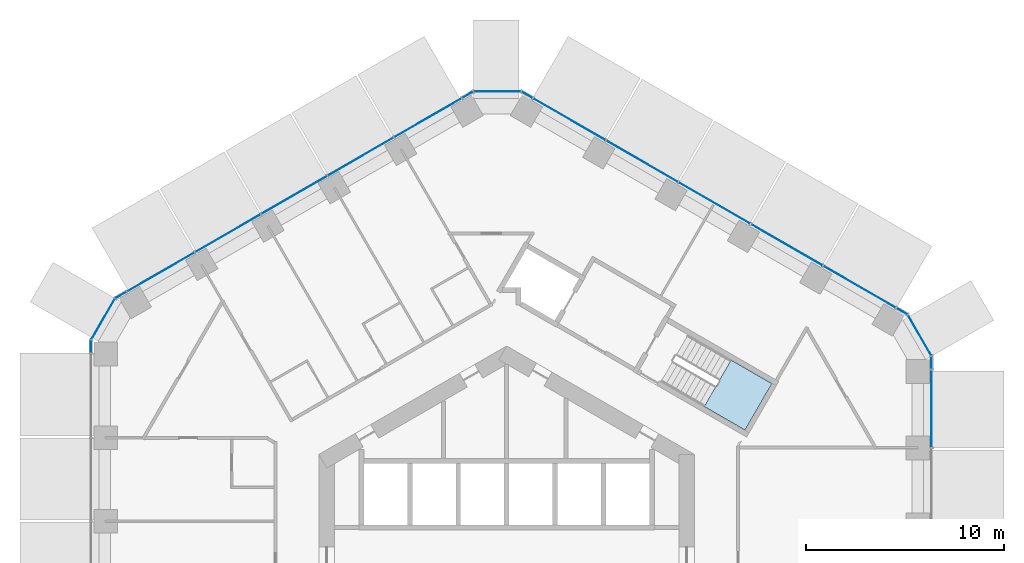
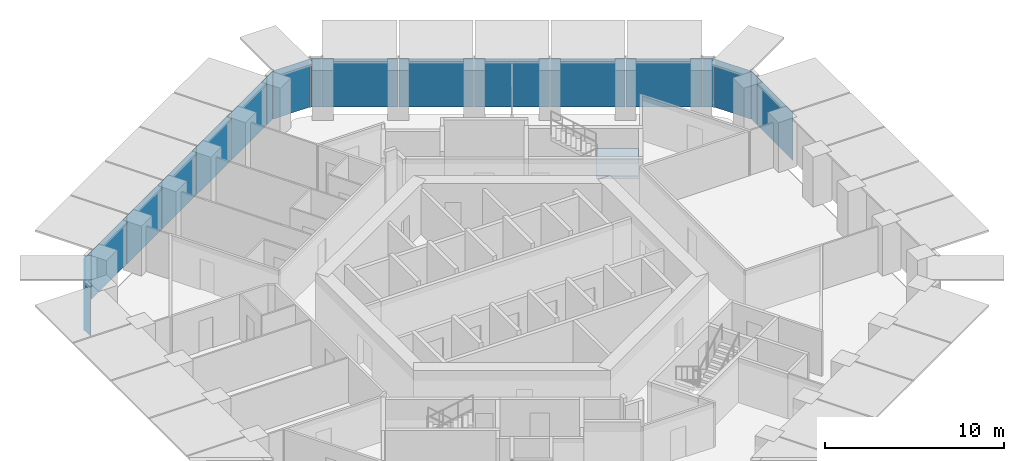
# One storey, part 11 of 19: 20 plates, 1 slab, 7 elements without a shape of their own.
"""IFC4 building model written with IfcOpenShell, lengths in metres."""

import ifcopenshell
import ifcopenshell.guid

model = None  # the IFC model being written
_history = None  # IfcOwnerHistory: only IFC2X3 demands one
_inside = {}  # id of a spatial element -> (the spatial element, [elements in it])
_under = {}  # id of a project, library or spatial element -> (it, [spatial elements below it])
_declared = {}  # id of a project -> (the project, [libraries it declares])
_typed = {}  # id of a type object -> (the type object, [elements of that type])
_made_of = {}  # id of a material, layer set ... -> (it, [elements and type objects made of it])


def new_model(schema):
    """Start an empty IFC model of exactly this schema.

    Asked for "IFC4X3", IfcOpenShell would pick the latest addendum, in which some entities
    have other attributes; the version numbers below select the first issue.
    IFC2X3 requires an IfcOwnerHistory on every rooted entity: one is made here for all.
    """
    global model, _history
    if schema == "IFC4X3":
        model = ifcopenshell.file(schema_version=(4, 3, 0, 0))
    else:
        model = ifcopenshell.file(schema=schema)
    _inside.clear()
    _under.clear()
    _declared.clear()
    _typed.clear()
    _made_of.clear()
    _history = None
    if model.schema == "IFC2X3":
        org = make("IfcOrganization", Name="unknown")
        user = make(
            "IfcPersonAndOrganization",
            ThePerson=make("IfcPerson", FamilyName="unknown"),
            TheOrganization=org,
        )
        app = make(
            "IfcApplication",
            ApplicationDeveloper=org,
            Version="unknown",
            ApplicationFullName="unknown",
            ApplicationIdentifier="unknown",
        )
        _history = make(
            "IfcOwnerHistory",
            OwningUser=user,
            OwningApplication=app,
            ChangeAction="ADDED",
            CreationDate=0,
        )
    return model


def make(cls, **values):
    """One entity of the class cls with the attributes given. An attribute that is None is left unset."""
    return model.create_entity(
        cls, **{name: value for name, value in values.items() if value is not None}
    )


def rooted(cls, **values):
    """An entity with a GlobalId (a new one), such as an element, a storey or a relation."""
    return make(cls, GlobalId=ifcopenshell.guid.new(), OwnerHistory=_history, **values)


def si_unit(unit_type, name, prefix=None):
    """IfcSIUnit, for example si_unit("LENGTHUNIT", "METRE", prefix="MILLI")."""
    return make("IfcSIUnit", UnitType=unit_type, Prefix=prefix, Name=name)


def assignment(units):
    """IfcUnitAssignment: the units of a project."""
    return None if units is None else make("IfcUnitAssignment", Units=units)


def point(xyz):
    """IfcCartesianPoint."""
    return None if xyz is None else make("IfcCartesianPoint", Coordinates=xyz)


def direction(xyz):
    """IfcDirection."""
    return None if xyz is None else make("IfcDirection", DirectionRatios=xyz)


def frame(location, z_axis=None, x_axis=None):
    """IfcAxis2Placement3D, a coordinate frame: its origin and axes. An axis left out is left unset."""
    return make(
        "IfcAxis2Placement3D",
        Location=point(location),
        Axis=direction(z_axis),
        RefDirection=direction(x_axis),
    )


def frame_2d(location, x_axis=None):
    """IfcAxis2Placement2D, a coordinate frame in the plane: its origin and x axis."""
    return make(
        "IfcAxis2Placement2D", Location=point(location), RefDirection=direction(x_axis)
    )


def origin():
    """The frame at (0, 0, 0) with its axes left unset."""
    return frame((0.0, 0.0, 0.0))


def origin_2d():
    """The frame at (0, 0) in the plane with its x axis left unset."""
    return frame_2d((0.0, 0.0))


def place(relative_to, where):
    """IfcLocalPlacement: puts the frame where relative to a parent placement (None: the world)."""
    return make(
        "IfcLocalPlacement", PlacementRelTo=relative_to, RelativePlacement=where
    )


def context(
    kind, dimensions, precision=None, world=None, true_north=None, identifier=None
):
    """IfcGeometricRepresentationContext, for example the 3D "Model" context."""
    return make(
        "IfcGeometricRepresentationContext",
        ContextIdentifier=identifier,
        ContextType=kind,
        CoordinateSpaceDimension=dimensions,
        Precision=precision,
        WorldCoordinateSystem=world,
        TrueNorth=true_north,
    )


def subcontext(parent, identifier, kind, view, scale=None):
    """IfcGeometricRepresentationSubContext, for example "Body" below "Model"."""
    return make(
        "IfcGeometricRepresentationSubContext",
        ContextIdentifier=identifier,
        ContextType=kind,
        ParentContext=parent,
        TargetScale=scale,
        TargetView=view,
    )


def project(units=None, contexts=None):
    """IfcProject with its units and contexts."""
    return rooted(
        "IfcProject",
        Name="project",
        RepresentationContexts=contexts,
        UnitsInContext=assignment(units),
    )


def spatial(cls, under=None, at=None, **own):
    """A site, building, storey or space (cls), placed at a placement, below another one or the project."""
    s = rooted(cls, ObjectPlacement=at, **own)
    if under is not None:
        _under.setdefault(under.id(), (under, []))[1].append(s)
    return s


def polyline(points):
    """IfcPolyline through the points."""
    return make("IfcPolyline", Points=[point(p) for p in points])


def profile(cls, at=None, kind="AREA", **sizes):
    """A parametric profile (cls). Its sizes go by their IFC names, for example OverallWidth=200.0."""
    return make(cls, ProfileType=kind, Position=at, **sizes)


def rectangle(**sizes):
    """IfcRectangleProfileDef."""
    return profile("IfcRectangleProfileDef", **sizes)


def outline(outer, holes=None, kind="AREA"):
    """IfcArbitraryClosedProfileDef: a profile drawn as a closed curve; with holes, ...WithVoids."""
    if holes is None:
        return make("IfcArbitraryClosedProfileDef", ProfileType=kind, OuterCurve=outer)
    return make(
        "IfcArbitraryProfileDefWithVoids",
        ProfileType=kind,
        OuterCurve=outer,
        InnerCurves=holes,
    )


def extrude(swept, where, along, depth):
    """IfcExtrudedAreaSolid: the profile swept, set in the frame where, extruded along a direction by depth."""
    return make(
        "IfcExtrudedAreaSolid",
        SweptArea=swept,
        Position=where,
        ExtrudedDirection=direction(along),
        Depth=depth,
    )


def shape(context_of_items, identifier, shape_type, items):
    """IfcShapeRepresentation: the items that make up one representation, for example the "Body"."""
    return make(
        "IfcShapeRepresentation",
        ContextOfItems=context_of_items,
        RepresentationIdentifier=identifier,
        RepresentationType=shape_type,
        Items=items,
    )


def material(Name=None, Category=None):
    """IfcMaterial."""
    return make("IfcMaterial", Name=Name, Category=Category)


def layer(
    of_material, thickness, ventilated=None, Name=None, Category=None, Priority=None
):
    """IfcMaterialLayer: one layer of a wall or slab, of a material (None: an air gap)."""
    return make(
        "IfcMaterialLayer",
        Material=of_material,
        LayerThickness=thickness,
        IsVentilated=ventilated,
        Name=Name,
        Category=Category,
        Priority=Priority,
    )


def layer_set(layers, Name=None):
    """IfcMaterialLayerSet."""
    return make("IfcMaterialLayerSet", MaterialLayers=layers, LayerSetName=Name)


def made_of(thing, what):
    """Note that an element or type object is made of a material, layer set ...; save() writes the relation."""
    if what is not None:
        _made_of.setdefault(what.id(), (what, []))[1].append(thing)
    return thing


def type_object(cls, material=None, **own):
    """A type object (cls), such as IfcWallType, which elements share."""
    return made_of(rooted(cls, **own), material)


def element(
    cls,
    number,
    at=None,
    inside=None,
    cuts=None,
    type_object=None,
    material=None,
    context=None,
    identifier="Body",
    shape_type=None,
    held_by="IfcProductDefinitionShape",
    body=None,
    shapes=None,
    **own,
):
    """One element of the class cls, such as IfcWall. Its Tag is "e" and its number.

    at: its placement. inside: the storey or other place that contains it. cuts: it is an
    opening in that element (IfcRelVoidsElement). A single representation is given by context,
    identifier, shape_type and body (its items); several are given by shapes. held_by: the class
    of the entity that holds the representations. save() writes the other relations.
    """
    e = rooted(cls, Tag="e%d" % number, ObjectPlacement=at, **own)
    if body is not None:
        shapes = [shape(context, identifier, shape_type, body)]
    if shapes is not None:
        e.Representation = make(held_by, Representations=shapes)
    if inside is not None:
        _inside.setdefault(inside.id(), (inside, []))[1].append(e)
    if cuts is not None:
        rooted(
            "IfcRelVoidsElement", RelatingBuildingElement=cuts, RelatedOpeningElement=e
        )
    if type_object is not None:
        _typed.setdefault(type_object.id(), (type_object, []))[1].append(e)
    return made_of(e, material)


def aggregate(whole, parts):
    """IfcRelAggregates: a whole, such as a stair, and the parts it consists of."""
    return rooted("IfcRelAggregates", RelatingObject=whole, RelatedObjects=parts)


def save(model, path):
    """Write the relations noted so far, then the file.

    IfcRelAggregates (storeys below a building ...), IfcRelContainedInSpatialStructure (elements
    in a storey), IfcRelDefinesByType, IfcRelAssociatesMaterial and IfcRelDeclares: one each for
    every whole, place, type object, material and project.
    """
    for whole, parts in _under.values():
        aggregate(whole, parts)
    for where, things in _inside.values():
        rooted(
            "IfcRelContainedInSpatialStructure",
            RelatedElements=things,
            RelatingStructure=where,
        )
    for kind, things in _typed.values():
        rooted("IfcRelDefinesByType", RelatedObjects=things, RelatingType=kind)
    for what, things in _made_of.values():
        rooted("IfcRelAssociatesMaterial", RelatedObjects=things, RelatingMaterial=what)
    for by, libraries in _declared.values():
        rooted("IfcRelDeclares", RelatingContext=by, RelatedDefinitions=libraries)
    model.write(path)


model = new_model("IFC4")

# Units and contexts
model_context = context("Model", 3, precision=1e-05, world=origin(), true_north=direction((0.0, 1.0)))
body_context = subcontext(model_context, "Body", "Model", "MODEL_VIEW")
ifc_project = project(units=[si_unit("LENGTHUNIT", "METRE"), si_unit("AREAUNIT", "SQUARE_METRE"), si_unit("VOLUMEUNIT", "CUBIC_METRE"), si_unit("PLANEANGLEUNIT", "RADIAN"), si_unit("MASSUNIT", "GRAM", prefix="KILO")], contexts=[model_context])

# Site, building, storey
site_placement = place(None, origin())
site = spatial("IfcSite", under=ifc_project, at=site_placement, CompositionType="ELEMENT")
building_placement = place(site_placement, origin())
building = spatial("IfcBuilding", under=site, at=building_placement, Name="Ayvan Gate Tower", CompositionType="ELEMENT")
storey_placement = place(building_placement, frame((0.0, 0.0, 52.699951171875)))
storey = spatial("IfcBuildingStorey", under=building, at=storey_placement, Name="L13", CompositionType="ELEMENT", Elevation=52.699951171875)

# Stair, slab
ifc_material_1 = material(Name="Concrete C40/50", Category="concrete")
stair_type = type_object("IfcStairType", Name="ST-EXIT", PredefinedType="HALF_TURN_STAIR", material=ifc_material_1)
stair_placement = place(storey_placement, origin())
stair = element("IfcStair", 1, at=stair_placement, inside=storey, type_object=stair_type, Name="L13 Exit Stair S1", PredefinedType="HALF_TURN_STAIR")
ifc_layer_1 = layer(ifc_material_1, 0.199951171875)
ifc_layer_set_1 = layer_set([ifc_layer_1], Name="Concrete C40/50")
slab_type = type_object("IfcSlabType", Name="SL-LANDING-200", PredefinedType="LANDING", material=ifc_layer_set_1)
slab_placement = place(storey_placement, frame((0.0, 0.0, 1.5)))
slab = element("IfcSlab", 2, at=slab_placement, type_object=slab_type, Name="STS1 landing 1", PredefinedType="LANDING", context=body_context, shape_type="SweptSolid", body=[
    extrude(outline(polyline([(9.988525390625, 7.91064453125), (12.049560546875, 6.720458984375), (13.404541015625, 9.0673828125), (11.343505859375, 10.257568359375), (9.988525390625, 7.91064453125)])), origin(), (0.0, 0.0, 1.0), 0.199951171875),
])
aggregate(stair, [slab])

# Curtain wall, plates
ifc_material_2 = material(Name="Bronze anodised aluminium", Category="aluminium")
ifc_layer_2 = layer(ifc_material_2, 0.199951171875)
ifc_layer_set_2 = layer_set([ifc_layer_2], Name="Bronze anodised aluminium")
curtain_wall_type_1 = type_object("IfcCurtainWallType", Name="Stick curtain wall CW-1", PredefinedType="NOTDEFINED", material=ifc_layer_set_2)
curtain_wall_1_placement = place(storey_placement, origin())
curtain_wall_1 = element("IfcCurtainWall", 3, at=curtain_wall_1_placement, inside=storey, type_object=curtain_wall_type_1, Name="Stick curtain wall CW-1 L13", PredefinedType="NOTDEFINED")
ifc_material_3 = material(Name="Clear low-iron laminated glass", Category="glass")
ifc_layer_3 = layer(ifc_material_3, 0.028076171875)
ifc_layer_set_3 = layer_set([ifc_layer_3], Name="Clear low-iron laminated glass")
plate_type_1 = type_object("IfcPlateType", Name="Stick curtain wall CW-1 glass panel", PredefinedType="CURTAIN_PANEL", material=ifc_layer_set_3)
plate_1_placement = place(storey_placement, frame((-3.9775390625, 22.511962890625, 0.0), z_axis=(0.0, 0.0, 1.0), x_axis=(-0.866025403784, -0.5, 0.0)))
plate_1 = element("IfcPlate", 4, at=plate_1_placement, type_object=plate_type_1, Name="CW-1 glass panel 1", PredefinedType="CURTAIN_PANEL", context=body_context, shape_type="SweptSolid", body=[
    extrude(rectangle(XDim=3.94091796875, YDim=0.028076171875, at=origin_2d()), origin(), (0.0, 0.0, 1.0), 3.280029296875),
])
plate_2_placement = place(storey_placement, frame((-7.387451171875, 20.543212890625, 0.0), z_axis=(0.0, 0.0, 1.0), x_axis=(-0.866025403784, -0.5, 0.0)))
plate_2 = element("IfcPlate", 5, at=plate_2_placement, type_object=plate_type_1, Name="CW-1 glass panel 2", PredefinedType="CURTAIN_PANEL", context=body_context, shape_type="SweptSolid", body=[
    extrude(rectangle(XDim=3.81396484375, YDim=0.028076171875, at=origin_2d()), origin(), (0.0, 0.0, 1.0), 3.280029296875),
])
plate_3_placement = place(storey_placement, frame((-10.742431640625, 18.606201171875, 0.0), z_axis=(0.0, 0.0, 1.0), x_axis=(-0.866025403784, -0.5, 0.0)))
plate_3 = element("IfcPlate", 6, at=plate_3_placement, type_object=plate_type_1, Name="CW-1 glass panel 3", PredefinedType="CURTAIN_PANEL", context=body_context, shape_type="SweptSolid", body=[
    extrude(rectangle(XDim=3.81396484375, YDim=0.028076171875, at=origin_2d()), origin(), (0.0, 0.0, 1.0), 3.280029296875),
])
plate_4_placement = place(storey_placement, frame((-14.097412109375, 16.669189453125, 0.0), z_axis=(0.0, 0.0, 1.0), x_axis=(-0.866025403784, -0.5, 0.0)))
plate_4 = element("IfcPlate", 7, at=plate_4_placement, type_object=plate_type_1, Name="CW-1 glass panel 4", PredefinedType="CURTAIN_PANEL", context=body_context, shape_type="SweptSolid", body=[
    extrude(rectangle(XDim=3.81396484375, YDim=0.028076171875, at=origin_2d()), origin(), (0.0, 0.0, 1.0), 3.280029296875),
])
plate_5_placement = place(storey_placement, frame((-17.50732421875, 14.700439453125, 0.0), z_axis=(0.0, 0.0, 1.0), x_axis=(-0.866025403784, -0.5, 0.0)))
plate_5 = element("IfcPlate", 8, at=plate_5_placement, type_object=plate_type_1, Name="CW-1 glass panel 5", PredefinedType="CURTAIN_PANEL", context=body_context, shape_type="SweptSolid", body=[
    extrude(rectangle(XDim=3.940673828125, YDim=0.028076171875, at=origin_2d()), origin(), (0.0, 0.0, 1.0), 3.280029296875),
])
aggregate(curtain_wall_1, [plate_1, plate_2, plate_3, plate_4, plate_5])

# Curtain wall, plate
curtain_wall_2_placement = place(storey_placement, origin())
curtain_wall_2 = element("IfcCurtainWall", 9, at=curtain_wall_2_placement, inside=storey, type_object=curtain_wall_type_1, Name="Stick curtain wall CW-1 L13", PredefinedType="NOTDEFINED")
plate_6_placement = place(storey_placement, frame((21.484619140625, 7.8115234375, 0.0), z_axis=(0.0, 0.0, 1.0), x_axis=(0.0, 1.0, 0.0)))
plate_6 = element("IfcPlate", 10, at=plate_6_placement, type_object=plate_type_1, Name="CW-1 glass panel 5", PredefinedType="CURTAIN_PANEL", context=body_context, shape_type="SweptSolid", body=[
    extrude(rectangle(XDim=3.940673828125, YDim=0.028076171875, at=origin_2d()), origin(), (0.0, 0.0, 1.0), 3.280029296875),
])
aggregate(curtain_wall_2, [plate_6])

# Curtain wall, plates
curtain_wall_3_placement = place(storey_placement, origin())
curtain_wall_3 = element("IfcCurtainWall", 11, at=curtain_wall_3_placement, inside=storey, type_object=curtain_wall_type_1, Name="Stick curtain wall CW-1 L13", PredefinedType="NOTDEFINED")
plate_7_placement = place(storey_placement, frame((17.852783203125, 13.95263671875, 0.0), z_axis=(0.0, 0.0, 1.0), x_axis=(-0.866025403784, 0.5, 0.0)))
plate_7 = element("IfcPlate", 12, at=plate_7_placement, type_object=plate_type_1, Name="CW-1 glass panel 1", PredefinedType="CURTAIN_PANEL", context=body_context, shape_type="SweptSolid", body=[
    extrude(rectangle(XDim=4.239013671875, YDim=0.028076171875, at=origin_2d()), origin(), (0.0, 0.0, 1.0), 3.280029296875),
])
plate_8_placement = place(storey_placement, frame((14.162841796875, 16.083251953125, 0.0), z_axis=(0.0, 0.0, 1.0), x_axis=(-0.866025403784, 0.5, 0.0)))
plate_8 = element("IfcPlate", 13, at=plate_8_placement, type_object=plate_type_1, Name="CW-1 glass panel 2", PredefinedType="CURTAIN_PANEL", context=body_context, shape_type="SweptSolid", body=[
    extrude(rectangle(XDim=4.1630859375, YDim=0.028076171875, at=origin_2d()), origin(), (0.0, 0.0, 1.0), 3.280029296875),
])
plate_9_placement = place(storey_placement, frame((10.505126953125, 18.19482421875, 0.0), z_axis=(0.0, 0.0, 1.0), x_axis=(-0.866025403784, 0.5, 0.0)))
plate_9 = element("IfcPlate", 14, at=plate_9_placement, type_object=plate_type_1, Name="CW-1 glass panel 3", PredefinedType="CURTAIN_PANEL", context=body_context, shape_type="SweptSolid", body=[
    extrude(rectangle(XDim=4.1640625, YDim=0.028076171875, at=origin_2d()), origin(), (0.0, 0.0, 1.0), 3.280029296875),
])
plate_10_placement = place(storey_placement, frame((6.846923828125, 20.306884765625, 0.0), z_axis=(0.0, 0.0, 1.0), x_axis=(-0.866025403784, 0.5, 0.0)))
plate_10 = element("IfcPlate", 15, at=plate_10_placement, type_object=plate_type_1, Name="CW-1 glass panel 4", PredefinedType="CURTAIN_PANEL", context=body_context, shape_type="SweptSolid", body=[
    extrude(rectangle(XDim=4.1640625, YDim=0.028076171875, at=origin_2d()), origin(), (0.0, 0.0, 1.0), 3.280029296875),
])
plate_11_placement = place(storey_placement, frame((3.15673828125, 22.4375, 0.0), z_axis=(0.0, 0.0, 1.0), x_axis=(-0.866025403784, 0.5, 0.0)))
plate_11 = element("IfcPlate", 16, at=plate_11_placement, type_object=plate_type_1, Name="CW-1 glass panel 5", PredefinedType="CURTAIN_PANEL", context=body_context, shape_type="SweptSolid", body=[
    extrude(rectangle(XDim=4.238525390625, YDim=0.028076171875, at=origin_2d()), origin(), (0.0, 0.0, 1.0), 3.280029296875),
])
aggregate(curtain_wall_3, [plate_7, plate_8, plate_9, plate_10, plate_11])

ifc_layer_4 = layer(ifc_material_2, 0.199951171875)
ifc_layer_set_4 = layer_set([ifc_layer_4], Name="Bronze anodised aluminium")
curtain_wall_type_2 = type_object("IfcCurtainWallType", Name="Stick curtain wall CW-6", PredefinedType="NOTDEFINED", material=ifc_layer_set_4)
curtain_wall_4_placement = place(storey_placement, origin())
curtain_wall_4 = element("IfcCurtainWall", 17, at=curtain_wall_4_placement, inside=storey, type_object=curtain_wall_type_2, Name="Stick curtain wall CW-6 L13", PredefinedType="NOTDEFINED")
ifc_layer_5 = layer(ifc_material_3, 0.028076171875)
ifc_layer_set_5 = layer_set([ifc_layer_5], Name="Clear low-iron laminated glass")
plate_type_2 = type_object("IfcPlateType", Name="Stick curtain wall CW-6 glass panel", PredefinedType="CURTAIN_PANEL", material=ifc_layer_set_5)
plate_12_placement = place(storey_placement, frame((-19.51025390625, 13.5439453125, 0.0), z_axis=(0.0, 0.0, 1.0), x_axis=(-0.866025403784, -0.5, 0.0)))
plate_12 = element("IfcPlate", 18, at=plate_12_placement, type_object=plate_type_2, Name="CW-6 glass panel 1", PredefinedType="CURTAIN_PANEL", context=body_context, shape_type="SweptSolid", body=[
    extrude(rectangle(XDim=0.625, YDim=0.028076171875, at=origin_2d()), origin(), (0.0, 0.0, 1.0), 3.280029296875),
])
plate_13_placement = place(storey_placement, frame((-20.40625, 12.329833984375, 0.0), z_axis=(0.0, 0.0, 1.0), x_axis=(-0.5, -0.866025403784, 0.0)))
plate_13 = element("IfcPlate", 19, at=plate_13_placement, type_object=plate_type_2, Name="CW-6 glass panel 2", PredefinedType="CURTAIN_PANEL", context=body_context, shape_type="SweptSolid", body=[
    extrude(rectangle(XDim=2.364501953125, YDim=0.028076171875, at=origin_2d()), origin(), (0.0, 0.0, 1.0), 3.280029296875),
])
plate_14_placement = place(storey_placement, frame((-21.009765625, 10.94677734375, 0.0), z_axis=(0.0, 0.0, 1.0), x_axis=(0.0, -1.0, 0.0)))
plate_14 = element("IfcPlate", 20, at=plate_14_placement, type_object=plate_type_2, Name="CW-6 glass panel 3", PredefinedType="CURTAIN_PANEL", context=body_context, shape_type="SweptSolid", body=[
    extrude(rectangle(XDim=0.625, YDim=0.028076171875, at=origin_2d()), origin(), (0.0, 0.0, 1.0), 3.280029296875),
])
aggregate(curtain_wall_4, [plate_12, plate_13, plate_14])

curtain_wall_5_placement = place(storey_placement, origin())
curtain_wall_5 = element("IfcCurtainWall", 21, at=curtain_wall_5_placement, inside=storey, type_object=curtain_wall_type_2, Name="Stick curtain wall CW-6 L13", PredefinedType="NOTDEFINED")
plate_15_placement = place(storey_placement, frame((21.484619140625, 10.124267578125, 0.0), z_axis=(0.0, 0.0, 1.0), x_axis=(0.0, 1.0, 0.0)))
plate_15 = element("IfcPlate", 22, at=plate_15_placement, type_object=plate_type_2, Name="CW-6 glass panel 1", PredefinedType="CURTAIN_PANEL", context=body_context, shape_type="SweptSolid", body=[
    extrude(rectangle(XDim=0.625, YDim=0.028076171875, at=origin_2d()), origin(), (0.0, 0.0, 1.0), 3.280029296875),
])
plate_16_placement = place(storey_placement, frame((20.880859375, 11.50732421875, 0.0), z_axis=(0.0, 0.0, 1.0), x_axis=(-0.5, 0.866025403784, 0.0)))
plate_16 = element("IfcPlate", 23, at=plate_16_placement, type_object=plate_type_2, Name="CW-6 glass panel 2", PredefinedType="CURTAIN_PANEL", context=body_context, shape_type="SweptSolid", body=[
    extrude(rectangle(XDim=2.364501953125, YDim=0.028076171875, at=origin_2d()), origin(), (0.0, 0.0, 1.0), 3.280029296875),
])
plate_17_placement = place(storey_placement, frame((19.985107421875, 12.7216796875, 0.0), z_axis=(0.0, 0.0, 1.0), x_axis=(-0.866025403784, 0.5, 0.0)))
plate_17 = element("IfcPlate", 24, at=plate_17_placement, type_object=plate_type_2, Name="CW-6 glass panel 3", PredefinedType="CURTAIN_PANEL", context=body_context, shape_type="SweptSolid", body=[
    extrude(rectangle(XDim=0.625, YDim=0.028076171875, at=origin_2d()), origin(), (0.0, 0.0, 1.0), 3.280029296875),
])
aggregate(curtain_wall_5, [plate_15, plate_16, plate_17])

curtain_wall_6_placement = place(storey_placement, origin())
curtain_wall_6 = element("IfcCurtainWall", 25, at=curtain_wall_6_placement, inside=storey, type_object=curtain_wall_type_2, Name="Stick curtain wall CW-6 L13", PredefinedType="NOTDEFINED")
plate_18_placement = place(storey_placement, frame((1.024658203125, 23.66845703125, 0.0), z_axis=(0.0, 0.0, 1.0), x_axis=(-0.866025403784, 0.5, 0.0)))
plate_18 = element("IfcPlate", 26, at=plate_18_placement, type_object=plate_type_2, Name="CW-6 glass panel 1", PredefinedType="CURTAIN_PANEL", context=body_context, shape_type="SweptSolid", body=[
    extrude(rectangle(XDim=0.625, YDim=0.028076171875, at=origin_2d()), origin(), (0.0, 0.0, 1.0), 3.280029296875),
])
plate_19_placement = place(storey_placement, frame((-0.474853515625, 23.837158203125, 0.0), z_axis=(0.0, 0.0, 1.0), x_axis=(-1.0, 0.0, 0.0)))
plate_19 = element("IfcPlate", 27, at=plate_19_placement, type_object=plate_type_2, Name="CW-6 glass panel 2", PredefinedType="CURTAIN_PANEL", context=body_context, shape_type="SweptSolid", body=[
    extrude(rectangle(XDim=2.364501953125, YDim=0.028076171875, at=origin_2d()), origin(), (0.0, 0.0, 1.0), 3.280029296875),
])
plate_20_placement = place(storey_placement, frame((-1.974365234375, 23.66845703125, 0.0), z_axis=(0.0, 0.0, 1.0), x_axis=(-0.866025403784, -0.5, 0.0)))
plate_20 = element("IfcPlate", 28, at=plate_20_placement, type_object=plate_type_2, Name="CW-6 glass panel 3", PredefinedType="CURTAIN_PANEL", context=body_context, shape_type="SweptSolid", body=[
    extrude(rectangle(XDim=0.625, YDim=0.028076171875, at=origin_2d()), origin(), (0.0, 0.0, 1.0), 3.280029296875),
])
aggregate(curtain_wall_6, [plate_18, plate_19, plate_20])

save(model, "model.ifc")
